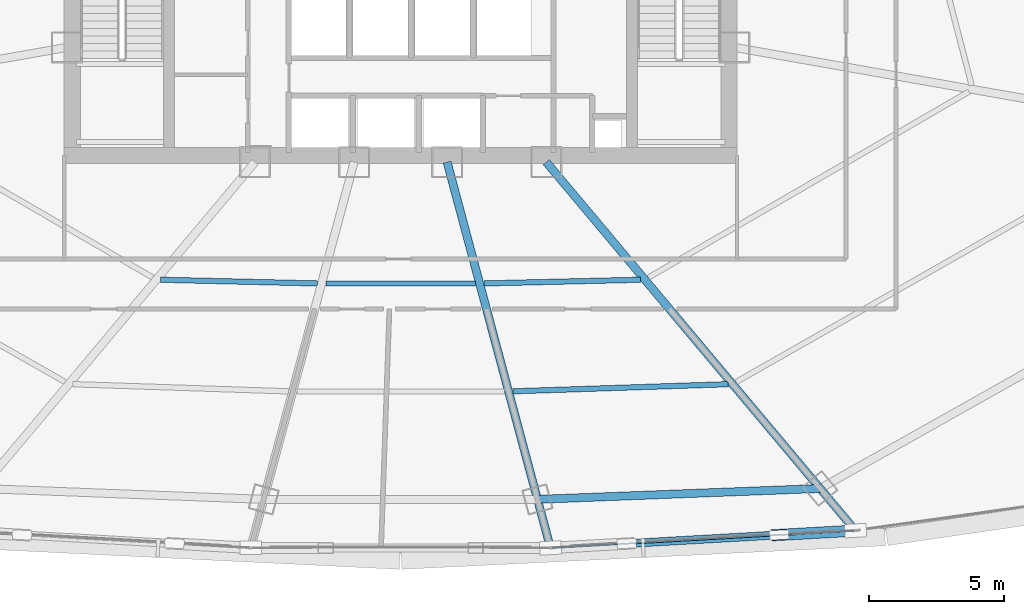
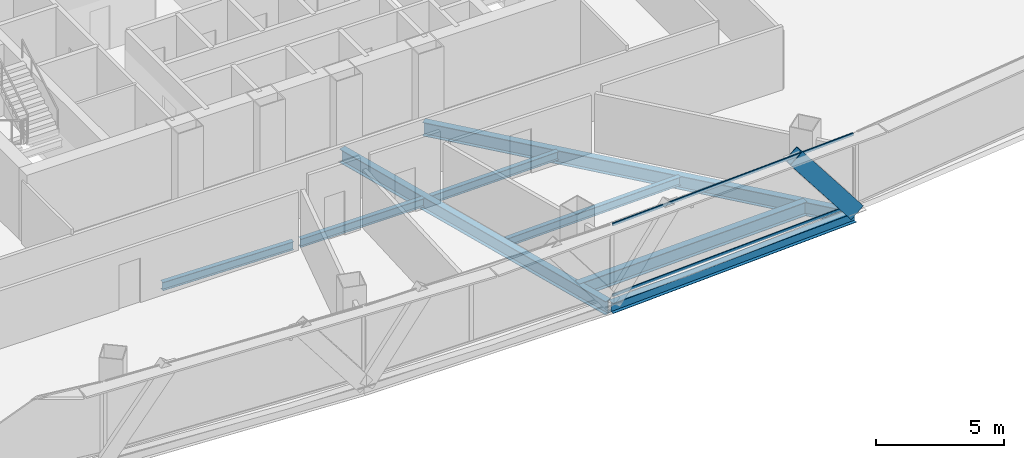
# One storey, part 13 of 42: 8 beams, 3 members, 1 element without a shape of its own.
"""IFC4 building model written with IfcOpenShell, lengths in metres."""

from ifc_helpers import new_model, si_unit, direction, frame, origin, origin_2d, place, context, subcontext, project, spatial, hollow_rectangle, i_section, extrude, source, transform, mapped, material, layer, layer_set, material_profile, profile_set, type_object, element, aggregate, save


model = new_model("IFC4")

# Units and contexts
model_context = context("Model", 3, precision=1e-05, world=origin(), true_north=direction((0.0, 1.0)))
body_context = subcontext(model_context, "Body", "Model", "MODEL_VIEW")
ifc_project = project(units=[si_unit("LENGTHUNIT", "METRE"), si_unit("AREAUNIT", "SQUARE_METRE"), si_unit("VOLUMEUNIT", "CUBIC_METRE"), si_unit("PLANEANGLEUNIT", "RADIAN"), si_unit("MASSUNIT", "GRAM", prefix="KILO"), si_unit("THERMODYNAMICTEMPERATUREUNIT", "KELVIN"), si_unit("POWERUNIT", "WATT")], contexts=[model_context])

# Site, building, storey
site_placement = place(None, origin())
site = spatial("IfcSite", under=ifc_project, at=site_placement, CompositionType="ELEMENT")
building_placement = place(site_placement, origin())
building = spatial("IfcBuilding", under=site, at=building_placement, Name="Yunzhuo Pagoda Commons", CompositionType="ELEMENT")
storey_placement = place(building_placement, frame((0.0, 0.0, 129.830078125)))
storey = spatial("IfcBuildingStorey", under=building, at=storey_placement, Name="L32", CompositionType="ELEMENT", Elevation=129.830078125)

# Beams
ifc_material_1 = material(Name="Structural steel Q355B", Category="steel")
ifc_material_profile_1 = material_profile(ifc_material_1, i_section(OverallWidth=0.300048828125, OverallDepth=0.488037109375, WebThickness=0.010986328125, FlangeThickness=0.01806640625, at=origin_2d()), Name="Structural steel Q355B")
ifc_profile_set_1 = profile_set([ifc_material_profile_1], Name="Structural steel Q355B")
beam_type_1 = type_object("IfcBeamType", Name="B-SP1 Beam HM 488x300x11x18", PredefinedType="BEAM", material=ifc_profile_set_1)
shared_shape_1 = source(origin(), body_context, "Body", "SweptSolid", [
    extrude(i_section(OverallWidth=0.300048828125, OverallDepth=0.488037109375, WebThickness=0.010986328125, FlangeThickness=0.01806640625, at=origin_2d()), origin(), (0.0, 0.0, 1.0), 11.34765625),
])
beam_1_placement = place(storey_placement, frame((53.56884765625, 12.917724609375, -0.504150390625), z_axis=(0.998390534012, 0.056712799217, 0.0), x_axis=(-0.056712799217, 0.998390534012, 0.0)))
element("IfcBeam", 1, at=beam_1_placement, inside=storey, type_object=beam_type_1, Name="L32 facade edge spandrel beam F1.3", PredefinedType="BEAM", context=body_context, shape_type="MappedRepresentation", body=[
    mapped(shared_shape_1, transform((0.0, 0.0, 0.0), scale=1.0)),
])
ifc_material_profile_2 = material_profile(ifc_material_1, i_section(OverallWidth=0.300048828125, OverallDepth=0.64990234375, WebThickness=0.012939453125, FlangeThickness=0.02197265625, at=origin_2d()), Name="Structural steel Q355B")
ifc_profile_set_2 = profile_set([ifc_material_profile_2], Name="Structural steel Q355B")
beam_type_2 = type_object("IfcBeamType", Name="B-RG2 Beam HN 650x300x13x22", PredefinedType="BEAM", material=ifc_profile_set_2)
shared_shape_2 = source(origin(), body_context, "Body", "SweptSolid", [
    extrude(i_section(OverallWidth=0.300048828125, OverallDepth=0.64990234375, WebThickness=0.012939453125, FlangeThickness=0.02197265625, at=origin_2d()), origin(), (0.0, 0.0, 1.0), 17.714111328125),
])
beam_2_placement = place(storey_placement, frame((64.798583984375, 13.68017578125, -0.5849609375), z_axis=(-0.6427889385, 0.76604332811, 0.0), x_axis=(-0.76604332811, -0.6427889385, 0.0)))
element("IfcBeam", 2, at=beam_2_placement, inside=storey, type_object=beam_type_2, Name="L32 radial floor girder F1C4", PredefinedType="BEAM", context=body_context, shape_type="MappedRepresentation", body=[
    mapped(shared_shape_2, transform((0.0, 0.0, 0.0), scale=1.0)),
])
shared_shape_3 = source(origin(), body_context, "Body", "SweptSolid", [
    extrude(i_section(OverallWidth=0.300048828125, OverallDepth=0.64990234375, WebThickness=0.012939453125, FlangeThickness=0.02197265625, at=origin_2d()), origin(), (0.0, 0.0, 1.0), 14.68310546875),
])
beam_3_placement = place(storey_placement, frame((53.52880859375, 13.067138671875, -0.5849609375), z_axis=(-0.258819472716, 0.96592571171, 0.0), x_axis=(-0.96592571171, -0.258819472716, 0.0)))
element("IfcBeam", 3, at=beam_3_placement, inside=storey, type_object=beam_type_2, Name="L32 radial floor girder F1C3", PredefinedType="BEAM", context=body_context, shape_type="MappedRepresentation", body=[
    mapped(shared_shape_3, transform((0.0, 0.0, 0.0), scale=1.0)),
])
shared_shape_4 = source(origin(), body_context, "Body", "SweptSolid", [
    extrude(i_section(OverallWidth=0.300048828125, OverallDepth=0.64990234375, WebThickness=0.012939453125, FlangeThickness=0.02197265625, at=origin_2d()), origin(), (0.0, 0.0, 1.0), 10.5078125),
])
beam_4_placement = place(storey_placement, frame((53.085205078125, 14.7216796875, -0.5849609375), z_axis=(0.999258632812, 0.03849915259, 0.0), x_axis=(-0.03849915259, 0.999258632812, 0.0)))
element("IfcBeam", 4, at=beam_4_placement, inside=storey, type_object=beam_type_2, Name="L32 column-ring beam 3", PredefinedType="BEAM", context=body_context, shape_type="MappedRepresentation", body=[
    mapped(shared_shape_4, transform((0.0, 0.0, 0.0), scale=1.0)),
])
ifc_material_profile_3 = material_profile(ifc_material_1, i_section(OverallWidth=0.199951171875, OverallDepth=0.39990234375, WebThickness=0.008056640625, FlangeThickness=0.012939453125, at=origin_2d()), Name="Structural steel Q355B")
ifc_profile_set_3 = profile_set([ifc_material_profile_3], Name="Structural steel Q355B")
beam_type_3 = type_object("IfcBeamType", Name="B-JS1 Joist HN 400x200x8x13", PredefinedType="JOIST", material=ifc_profile_set_3)
shared_shape_5 = source(origin(), body_context, "Body", "SweptSolid", [
    extrude(i_section(OverallWidth=0.199951171875, OverallDepth=0.39990234375, WebThickness=0.008056640625, FlangeThickness=0.012939453125, at=origin_2d()), origin(), (0.0, 0.0, 1.0), 5.821533203125),
])
for number, where, z_axis, x_axis, name in (
    (5, (39.08447265625, 22.881591796875, -0.4599609375), (0.999718239795, -0.023736912649, 0.0), (0.023736912649, 0.999718239795, 0.0), "L32 composite ring joist 1.1"),
    (6, (51.095703125, 22.743408203125, -0.4599609375), (0.999718239795, 0.023736912649, 0.0), (-0.023736912649, 0.999718239795, 0.0), "L32 composite ring joist 1.3"),
):
    element("IfcBeam", number, at=place(storey_placement, frame(where, z_axis=z_axis, x_axis=x_axis)), inside=storey, type_object=beam_type_3, Name=name, PredefinedType="JOIST", context=body_context, shape_type="MappedRepresentation", body=[
        mapped(shared_shape_5, transform((0.0, 0.0, 0.0), scale=1.0)),
    ])
shared_shape_6 = source(origin(), body_context, "Body", "SweptSolid", [
    extrude(i_section(OverallWidth=0.199951171875, OverallDepth=0.39990234375, WebThickness=0.008056640625, FlangeThickness=0.012939453125, at=origin_2d()), origin(), (0.0, 0.0, 1.0), 8.00537109375),
])
beam_5_placement = place(storey_placement, frame((52.169921875, 18.73583984375, -0.4599609375), z_axis=(0.999453403952, 0.033058937199, 0.0), x_axis=(-0.033058937199, 0.999453403952, 0.0)))
element("IfcBeam", 7, at=beam_5_placement, inside=storey, type_object=beam_type_3, Name="L32 composite ring joist 2.3", PredefinedType="JOIST", context=body_context, shape_type="MappedRepresentation", body=[
    mapped(shared_shape_6, transform((0.0, 0.0, 0.0), scale=1.0)),
])
shared_shape_7 = source(origin(), body_context, "Body", "SweptSolid", [
    extrude(i_section(OverallWidth=0.199951171875, OverallDepth=0.39990234375, WebThickness=0.008056640625, FlangeThickness=0.012939453125, at=origin_2d()), origin(), (0.0, 0.0, 1.0), 5.5556640625),
])
beam_6_placement = place(storey_placement, frame((45.22216796875, 22.73974609375, -0.4599609375), z_axis=(1.0, 0.0, 0.0), x_axis=(0.0, 1.0, 0.0)))
element("IfcBeam", 8, at=beam_6_placement, inside=storey, type_object=beam_type_3, Name="L32 composite ring joist 1.2", PredefinedType="JOIST", context=body_context, shape_type="MappedRepresentation", body=[
    mapped(shared_shape_7, transform((0.0, 0.0, 0.0), scale=1.0)),
])

# Member
ifc_material_2 = material(Name="Structural steel Q420B", Category="steel")
ifc_material_profile_4 = material_profile(ifc_material_2, hollow_rectangle(XDim=0.419921875, YDim=0.719970703125, WallThickness=0.028076171875, at=origin_2d()), Name="Structural steel Q420B")
ifc_profile_set_4 = profile_set([ifc_material_profile_4], Name="Structural steel Q420B")
member_type_1 = type_object("IfcMemberType", Name="M-DL1 Brace BOX 720x420x28", PredefinedType="BRACE", material=ifc_profile_set_4)
shared_shape_8 = source(origin(), body_context, "Body", "SweptSolid", [
    extrude(hollow_rectangle(XDim=0.419921875, YDim=0.719970703125, WallThickness=0.028076171875, at=origin_2d()), origin(), (0.0, 0.0, 1.0), 4.646484375),
])
member_1_placement = place(storey_placement, frame((64.898193359375, 13.561279296875, -0.260009765625), z_axis=(-0.609555877841, -0.034626094604, 0.791986531049), x_axis=(0.056714017439, -0.998390464811, 0.0)))
element("IfcMember", 9, at=member_1_placement, inside=storey, type_object=member_type_1, Name="L32 facade diamond brace F1.3R", PredefinedType="BRACE", context=body_context, shape_type="MappedRepresentation", body=[
    mapped(shared_shape_8, transform((0.0, 0.0, 0.0), scale=1.0)),
])

# Curtain wall, members
ifc_material_3 = material(Name="Anodized aluminium 6063-T6", Category="aluminium")
ifc_layer = layer(ifc_material_3, 0.14990234375)
ifc_layer_set = layer_set([ifc_layer], Name="Anodized aluminium 6063-T6")
curtain_wall_type = type_object("IfcCurtainWallType", Name="CW-MID Mid-Zone Ribbon Curtain Wall", PredefinedType="NOTDEFINED", material=ifc_layer_set)
curtain_wall_placement = place(storey_placement, origin())
curtain_wall = element("IfcCurtainWall", 10, at=curtain_wall_placement, inside=storey, type_object=curtain_wall_type, Name="L32 curtain wall CW-L32-F1B4", PredefinedType="NOTDEFINED")
ifc_material_profile_5 = material_profile(ifc_material_3, hollow_rectangle(XDim=0.054931640625, YDim=0.1298828125, WallThickness=0.00341796875, at=origin_2d()), Name="Anodized aluminium 6063-T6")
ifc_profile_set_5 = profile_set([ifc_material_profile_5], Name="Anodized aluminium 6063-T6")
member_type_2 = type_object("IfcMemberType", Name="CW-MID-T Transom RHS 130x55x3.5", PredefinedType="USERDEFINED", material=ifc_profile_set_5)
shared_shape_9 = source(origin(), body_context, "Body", "SweptSolid", [
    extrude(hollow_rectangle(XDim=0.054931640625, YDim=0.1298828125, WallThickness=0.00341796875, at=origin_2d()), origin(), (0.0, 0.0, 1.0), 11.227783203125),
])
member_2_placement = place(storey_placement, frame((53.628662109375, 12.9208984375, 0.02734375), z_axis=(0.998387042838, 0.056774225609, 0.0), x_axis=(-0.056774225609, 0.998387042838, 0.0)))
member_2 = element("IfcMember", 11, at=member_2_placement, type_object=member_type_2, Name="CW transom 1.1", ObjectType="TRANSOM", PredefinedType="USERDEFINED", context=body_context, shape_type="MappedRepresentation", body=[
    mapped(shared_shape_9, transform((0.0, 0.0, 0.0), scale=1.0)),
])
member_3_placement = place(storey_placement, frame((53.628662109375, 12.9208984375, 3.392333984375), z_axis=(0.998387042838, 0.056774225609, 0.0), x_axis=(-0.056774225609, 0.998387042838, 0.0)))
member_3 = element("IfcMember", 12, at=member_3_placement, type_object=member_type_2, Name="CW transom 1.2", ObjectType="TRANSOM", PredefinedType="USERDEFINED", context=body_context, shape_type="MappedRepresentation", body=[
    mapped(shared_shape_9, transform((0.0, 0.0, 0.0), scale=1.0)),
])
aggregate(curtain_wall, [member_2, member_3])

save(model, "model.ifc")
